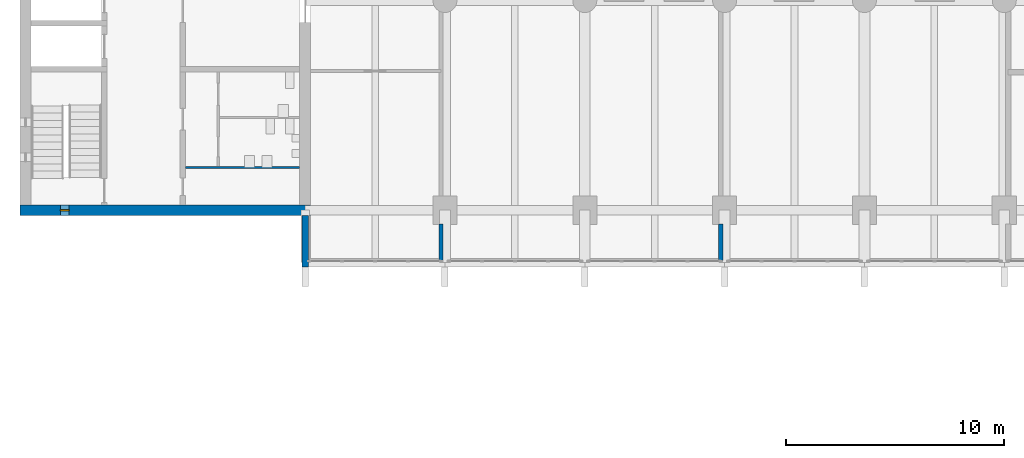
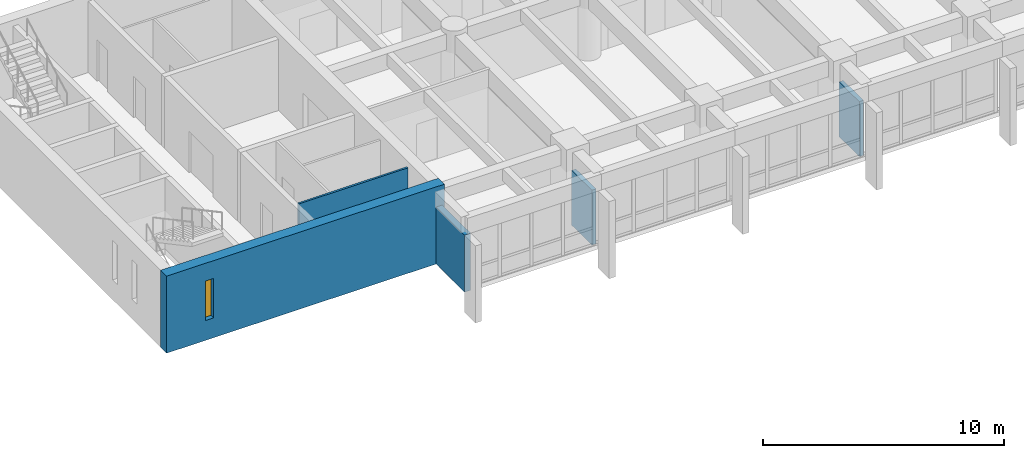
# One storey, part 9 of 19: 5 walls, 1 window, 1 opening.
"""IFC4 building model written with IfcOpenShell, lengths in metres."""

from ifc_helpers import new_model, si_unit, direction, frame, frame_2d, origin, place, context, subcontext, project, spatial, rectangle, extrude, material, layer, layer_set, type_object, element, fill, save


model = new_model("IFC4")

# Units and contexts
model_context = context("Model", 3, precision=1e-05, world=origin(), true_north=direction((0.0, 1.0)))
body_context = subcontext(model_context, "Body", "Model", "MODEL_VIEW")
ifc_project = project(units=[si_unit("LENGTHUNIT", "METRE"), si_unit("AREAUNIT", "SQUARE_METRE"), si_unit("VOLUMEUNIT", "CUBIC_METRE"), si_unit("PLANEANGLEUNIT", "RADIAN"), si_unit("MASSUNIT", "GRAM", prefix="KILO")], contexts=[model_context])

# Site, building, storey
site_placement = place(None, origin())
site = spatial("IfcSite", under=ifc_project, at=site_placement, CompositionType="ELEMENT")
building_placement = place(site_placement, origin())
building = spatial("IfcBuilding", under=site, at=building_placement, Name="Fogon Plaza Fire Station and Headquarters Tower", CompositionType="ELEMENT")
storey_placement = place(building_placement, frame((0.0, 0.0, 17.10009765625)))
storey = spatial("IfcBuildingStorey", under=building, at=storey_placement, Name="L04", CompositionType="ELEMENT", Elevation=17.10009765625)

# Walls
ifc_material_1 = material(Name="Concrete C40", Category="concrete")
ifc_layer_1 = layer(ifc_material_1, 0.300048828125)
ifc_layer_set_1 = layer_set([ifc_layer_1], Name="Concrete C40")
wall_type_1 = type_object("IfcWallType", Name="Fair-faced RC Return Panel 300", PredefinedType="SOLIDWALL", material=ifc_layer_set_1)
wall_1_placement = place(storey_placement, frame((25.60009765625, 31.0, 0.0), z_axis=(0.0, 0.0, 1.0), x_axis=(0.0, 1.0, 0.0)))
element("IfcWall", 1, at=wall_1_placement, inside=storey, type_object=wall_type_1, Name="Bar end return WS L04", PredefinedType="SOLIDWALL", context=body_context, shape_type="SweptSolid", body=[
    extrude(rectangle(XDim=2.35009765625, YDim=0.300048828125, at=frame_2d((1.175048828125, 0.0))), origin(), (0.0, 0.0, 1.0), 2.8798828125),
])
ifc_material_2 = material(Name="Blockwork", Category="masonry")
ifc_layer_2 = layer(ifc_material_2, 0.10009765625)
ifc_layer_set_2 = layer_set([ifc_layer_2], Name="Blockwork")
wall_type_2 = type_object("IfcWallType", Name="Partition Blockwork 100", PredefinedType="PARTITIONING", material=ifc_layer_set_2)
wall_2_placement = place(storey_placement, frame((20.125, 35.550048828125, 0.0), z_axis=(0.0, 0.0, 1.0), x_axis=(1.0, 0.0, 0.0)))
element("IfcWall", 2, at=wall_2_placement, inside=storey, type_object=wall_type_2, Name="Cleaner's store partition", PredefinedType="PARTITIONING", context=body_context, shape_type="SweptSolid", body=[
    extrude(rectangle(XDim=5.22509765625, YDim=0.10009765625, at=frame_2d((2.612548828125, 0.0))), origin(), (0.0, 0.0, 1.0), 3.599853515625),
])

# Wall, opening, window
ifc_material_3 = material(Name="Concrete C40", Category="concrete")
ifc_layer_3 = layer(ifc_material_3, 0.5)
ifc_layer_set_3 = layer_set([ifc_layer_3], Name="Concrete C40")
wall_type_3 = type_object("IfcWallType", Name="Shear wall 500 SW50", PredefinedType="SHEAR", material=ifc_layer_set_3)
wall_3_placement = place(storey_placement, frame((12.550048828125, 33.60009765625, 0.0), z_axis=(0.0, 0.0, 1.0), x_axis=(1.0, 0.0, 0.0)))
wall_3 = element("IfcWall", 3, at=wall_3_placement, inside=storey, type_object=wall_type_3, Name="wall-coreA-S-L04", PredefinedType="SHEAR", context=body_context, shape_type="SweptSolid", body=[
    extrude(rectangle(XDim=13.300048828125, YDim=0.5, at=frame_2d((6.64990234375, 0.0))), origin(), (0.0, 0.0, 1.0), 3.89990234375),
])
opening_placement = place(wall_3_placement, frame((1.85009765625, 0.0, 1.0)))
opening = element("IfcOpeningElement", 4, at=opening_placement, cuts=wall_3, Name="Opening WS1", PredefinedType="OPENING", context=body_context, shape_type="SweptSolid", body=[
    extrude(rectangle(XDim=0.39990234375, YDim=2.0, at=frame_2d((0.199951171875, 1.0))), frame((0.0, 0.260009765625, 0.0), z_axis=(0.0, -1.0, 0.0), x_axis=(1.0, 0.0, 0.0)), (0.0, 0.0, 1.0), 0.52001953125),
])
ifc_material_4 = material(Name="Aluminium framed double glazing", Category="aluminium")
window_type = type_object("IfcWindowType", Name="Slit Window WS1 400x2000", PartitioningType="SINGLE_PANEL", PredefinedType="WINDOW", material=ifc_material_4)
window_placement = place(opening_placement, origin())
window = element("IfcWindow", 5, at=window_placement, inside=storey, type_object=window_type, Name="Slit window A5 L04", OverallHeight=2.0, OverallWidth=0.39990234375, PartitioningType="SINGLE_PANEL", PredefinedType="WINDOW", context=body_context, shape_type="SweptSolid", body=[
    extrude(rectangle(XDim=0.39990234375, YDim=2.0, at=frame_2d((0.199951171875, 1.0))), frame((0.0, 0.030029296875, 0.0), z_axis=(0.0, -1.0, 0.0), x_axis=(1.0, 0.0, 0.0)), (0.0, 0.0, 1.0), 0.06005859375),
])
fill(opening, window)

# Walls
ifc_material_5 = material(Name="Concrete block masonry", Category="masonry")
ifc_layer_4 = layer(ifc_material_5, 0.199951171875)
ifc_layer_set_4 = layer_set([ifc_layer_4], Name="Concrete block masonry")
wall_type_4 = type_object("IfcWallType", Name="Tower compartment wall 200 EI 120 Beam Head 900", PredefinedType="PARTITIONING", material=ifc_layer_set_4)
for number, where, z_axis, x_axis, name in (
    (6, (44.6201171875, 31.300048828125, 0.0), (0.0, 0.0, 1.0), (0.0, 1.0, 0.0), "part-L04-01"),
    (7, (31.820068359375, 31.300048828125, 0.0), (0.0, 0.0, 1.0), (0.0, 1.0, 0.0), "part-L04-19"),
):
    element("IfcWall", number, at=place(storey_placement, frame(where, z_axis=z_axis, x_axis=x_axis)), inside=storey, type_object=wall_type_4, Name=name, PredefinedType="PARTITIONING", context=body_context, shape_type="SweptSolid", body=[
        extrude(rectangle(XDim=1.669921875, YDim=0.199951171875, at=frame_2d((0.8349609375, 0.0))), origin(), (0.0, 0.0, 1.0), 2.77978515625),
    ])

save(model, "model.ifc")
